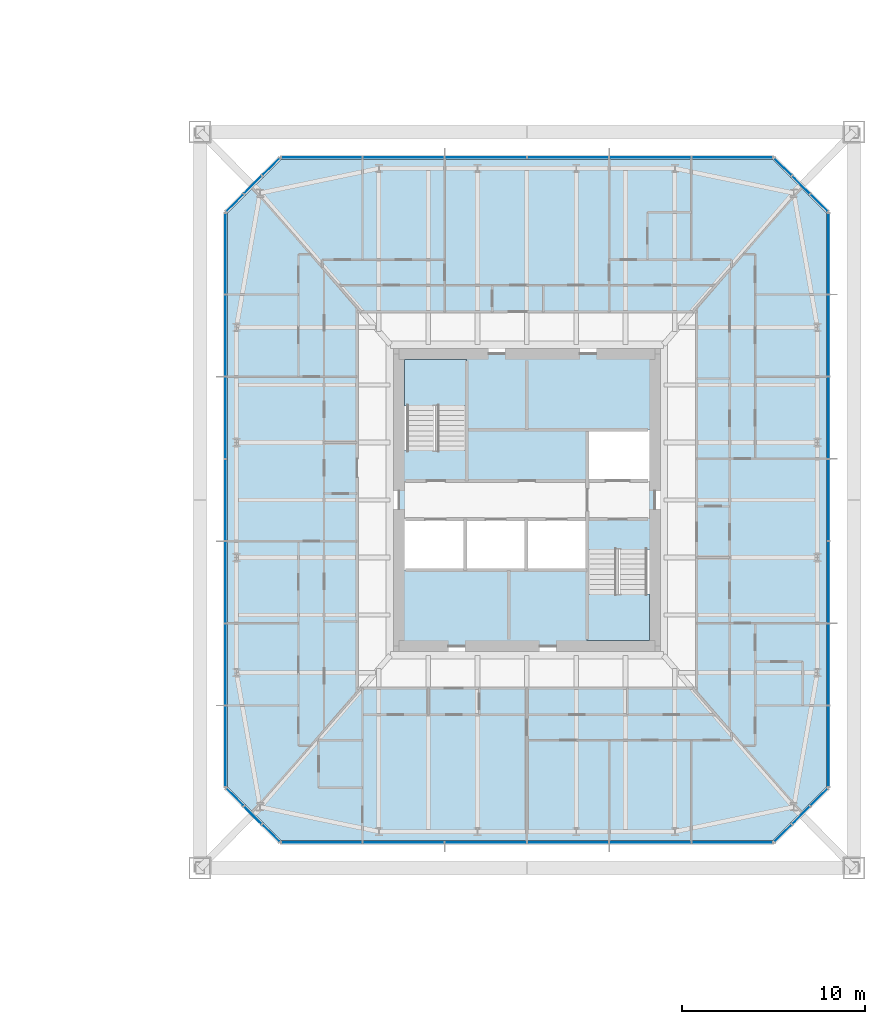
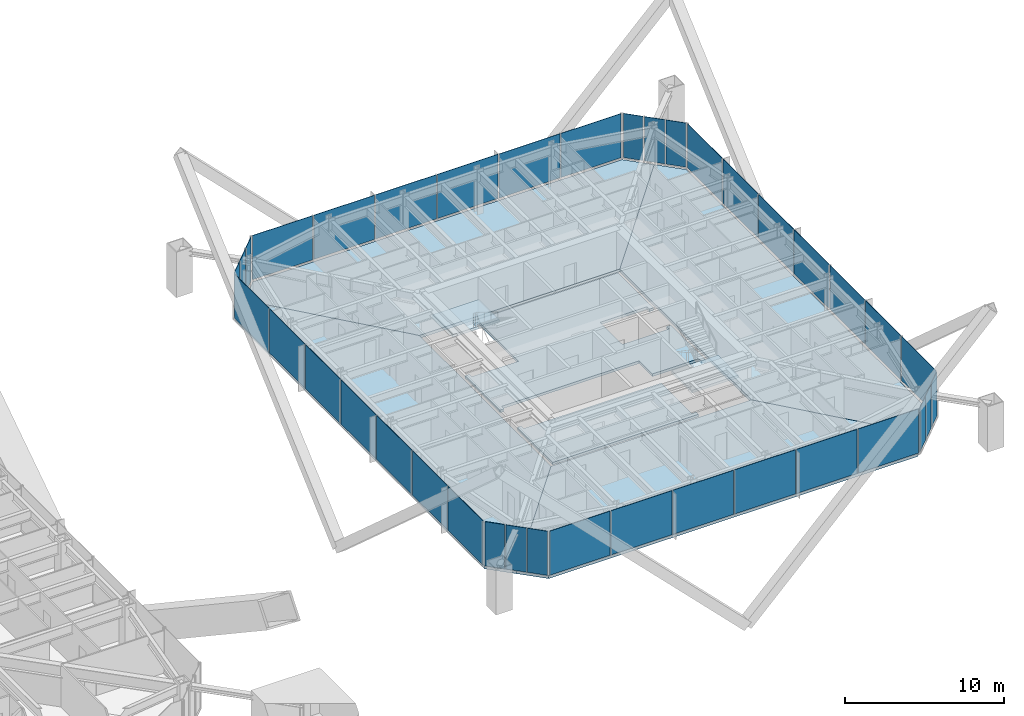
# One storey, part 14 of 27: 38 plates, 8 slabs, 10 elements without a shape of their own.
"""IFC4 building model written with IfcOpenShell, lengths in metres."""

import ifcopenshell
import ifcopenshell.guid

model = None  # the IFC model being written
_history = None  # IfcOwnerHistory: only IFC2X3 demands one
_inside = {}  # id of a spatial element -> (the spatial element, [elements in it])
_under = {}  # id of a project, library or spatial element -> (it, [spatial elements below it])
_declared = {}  # id of a project -> (the project, [libraries it declares])
_typed = {}  # id of a type object -> (the type object, [elements of that type])
_made_of = {}  # id of a material, layer set ... -> (it, [elements and type objects made of it])


def new_model(schema):
    """Start an empty IFC model of exactly this schema.

    Asked for "IFC4X3", IfcOpenShell would pick the latest addendum, in which some entities
    have other attributes; the version numbers below select the first issue.
    IFC2X3 requires an IfcOwnerHistory on every rooted entity: one is made here for all.
    """
    global model, _history
    if schema == "IFC4X3":
        model = ifcopenshell.file(schema_version=(4, 3, 0, 0))
    else:
        model = ifcopenshell.file(schema=schema)
    _inside.clear()
    _under.clear()
    _declared.clear()
    _typed.clear()
    _made_of.clear()
    _history = None
    if model.schema == "IFC2X3":
        org = make("IfcOrganization", Name="unknown")
        user = make(
            "IfcPersonAndOrganization",
            ThePerson=make("IfcPerson", FamilyName="unknown"),
            TheOrganization=org,
        )
        app = make(
            "IfcApplication",
            ApplicationDeveloper=org,
            Version="unknown",
            ApplicationFullName="unknown",
            ApplicationIdentifier="unknown",
        )
        _history = make(
            "IfcOwnerHistory",
            OwningUser=user,
            OwningApplication=app,
            ChangeAction="ADDED",
            CreationDate=0,
        )
    return model


def make(cls, **values):
    """One entity of the class cls with the attributes given. An attribute that is None is left unset."""
    return model.create_entity(
        cls, **{name: value for name, value in values.items() if value is not None}
    )


def rooted(cls, **values):
    """An entity with a GlobalId (a new one), such as an element, a storey or a relation."""
    return make(cls, GlobalId=ifcopenshell.guid.new(), OwnerHistory=_history, **values)


def si_unit(unit_type, name, prefix=None):
    """IfcSIUnit, for example si_unit("LENGTHUNIT", "METRE", prefix="MILLI")."""
    return make("IfcSIUnit", UnitType=unit_type, Prefix=prefix, Name=name)


def assignment(units):
    """IfcUnitAssignment: the units of a project."""
    return None if units is None else make("IfcUnitAssignment", Units=units)


def point(xyz):
    """IfcCartesianPoint."""
    return None if xyz is None else make("IfcCartesianPoint", Coordinates=xyz)


def direction(xyz):
    """IfcDirection."""
    return None if xyz is None else make("IfcDirection", DirectionRatios=xyz)


def frame(location, z_axis=None, x_axis=None):
    """IfcAxis2Placement3D, a coordinate frame: its origin and axes. An axis left out is left unset."""
    return make(
        "IfcAxis2Placement3D",
        Location=point(location),
        Axis=direction(z_axis),
        RefDirection=direction(x_axis),
    )


def frame_2d(location, x_axis=None):
    """IfcAxis2Placement2D, a coordinate frame in the plane: its origin and x axis."""
    return make(
        "IfcAxis2Placement2D", Location=point(location), RefDirection=direction(x_axis)
    )


def origin():
    """The frame at (0, 0, 0) with its axes left unset."""
    return frame((0.0, 0.0, 0.0))


def origin_2d():
    """The frame at (0, 0) in the plane with its x axis left unset."""
    return frame_2d((0.0, 0.0))


def place(relative_to, where):
    """IfcLocalPlacement: puts the frame where relative to a parent placement (None: the world)."""
    return make(
        "IfcLocalPlacement", PlacementRelTo=relative_to, RelativePlacement=where
    )


def context(
    kind, dimensions, precision=None, world=None, true_north=None, identifier=None
):
    """IfcGeometricRepresentationContext, for example the 3D "Model" context."""
    return make(
        "IfcGeometricRepresentationContext",
        ContextIdentifier=identifier,
        ContextType=kind,
        CoordinateSpaceDimension=dimensions,
        Precision=precision,
        WorldCoordinateSystem=world,
        TrueNorth=true_north,
    )


def subcontext(parent, identifier, kind, view, scale=None):
    """IfcGeometricRepresentationSubContext, for example "Body" below "Model"."""
    return make(
        "IfcGeometricRepresentationSubContext",
        ContextIdentifier=identifier,
        ContextType=kind,
        ParentContext=parent,
        TargetScale=scale,
        TargetView=view,
    )


def project(units=None, contexts=None):
    """IfcProject with its units and contexts."""
    return rooted(
        "IfcProject",
        Name="project",
        RepresentationContexts=contexts,
        UnitsInContext=assignment(units),
    )


def spatial(cls, under=None, at=None, **own):
    """A site, building, storey or space (cls), placed at a placement, below another one or the project."""
    s = rooted(cls, ObjectPlacement=at, **own)
    if under is not None:
        _under.setdefault(under.id(), (under, []))[1].append(s)
    return s


def polyline(points):
    """IfcPolyline through the points."""
    return make("IfcPolyline", Points=[point(p) for p in points])


def profile(cls, at=None, kind="AREA", **sizes):
    """A parametric profile (cls). Its sizes go by their IFC names, for example OverallWidth=200.0."""
    return make(cls, ProfileType=kind, Position=at, **sizes)


def rectangle(**sizes):
    """IfcRectangleProfileDef."""
    return profile("IfcRectangleProfileDef", **sizes)


def outline(outer, holes=None, kind="AREA"):
    """IfcArbitraryClosedProfileDef: a profile drawn as a closed curve; with holes, ...WithVoids."""
    if holes is None:
        return make("IfcArbitraryClosedProfileDef", ProfileType=kind, OuterCurve=outer)
    return make(
        "IfcArbitraryProfileDefWithVoids",
        ProfileType=kind,
        OuterCurve=outer,
        InnerCurves=holes,
    )


def extrude(swept, where, along, depth):
    """IfcExtrudedAreaSolid: the profile swept, set in the frame where, extruded along a direction by depth."""
    return make(
        "IfcExtrudedAreaSolid",
        SweptArea=swept,
        Position=where,
        ExtrudedDirection=direction(along),
        Depth=depth,
    )


def shape(context_of_items, identifier, shape_type, items):
    """IfcShapeRepresentation: the items that make up one representation, for example the "Body"."""
    return make(
        "IfcShapeRepresentation",
        ContextOfItems=context_of_items,
        RepresentationIdentifier=identifier,
        RepresentationType=shape_type,
        Items=items,
    )


def material(Name=None, Category=None):
    """IfcMaterial."""
    return make("IfcMaterial", Name=Name, Category=Category)


def layer(
    of_material, thickness, ventilated=None, Name=None, Category=None, Priority=None
):
    """IfcMaterialLayer: one layer of a wall or slab, of a material (None: an air gap)."""
    return make(
        "IfcMaterialLayer",
        Material=of_material,
        LayerThickness=thickness,
        IsVentilated=ventilated,
        Name=Name,
        Category=Category,
        Priority=Priority,
    )


def layer_set(layers, Name=None):
    """IfcMaterialLayerSet."""
    return make("IfcMaterialLayerSet", MaterialLayers=layers, LayerSetName=Name)


def constituent(of_material, Name=None, Category=None, fraction=None):
    """IfcMaterialConstituent: one of the materials an element consists of."""
    return make(
        "IfcMaterialConstituent",
        Name=Name,
        Material=of_material,
        Fraction=fraction,
        Category=Category,
    )


def constituent_set(constituents=None, Name=None):
    """IfcMaterialConstituentSet."""
    return make(
        "IfcMaterialConstituentSet", Name=Name, MaterialConstituents=constituents
    )


def made_of(thing, what):
    """Note that an element or type object is made of a material, layer set ...; save() writes the relation."""
    if what is not None:
        _made_of.setdefault(what.id(), (what, []))[1].append(thing)
    return thing


def type_object(cls, material=None, **own):
    """A type object (cls), such as IfcWallType, which elements share."""
    return made_of(rooted(cls, **own), material)


def element(
    cls,
    number,
    at=None,
    inside=None,
    cuts=None,
    type_object=None,
    material=None,
    context=None,
    identifier="Body",
    shape_type=None,
    held_by="IfcProductDefinitionShape",
    body=None,
    shapes=None,
    **own,
):
    """One element of the class cls, such as IfcWall. Its Tag is "e" and its number.

    at: its placement. inside: the storey or other place that contains it. cuts: it is an
    opening in that element (IfcRelVoidsElement). A single representation is given by context,
    identifier, shape_type and body (its items); several are given by shapes. held_by: the class
    of the entity that holds the representations. save() writes the other relations.
    """
    e = rooted(cls, Tag="e%d" % number, ObjectPlacement=at, **own)
    if body is not None:
        shapes = [shape(context, identifier, shape_type, body)]
    if shapes is not None:
        e.Representation = make(held_by, Representations=shapes)
    if inside is not None:
        _inside.setdefault(inside.id(), (inside, []))[1].append(e)
    if cuts is not None:
        rooted(
            "IfcRelVoidsElement", RelatingBuildingElement=cuts, RelatedOpeningElement=e
        )
    if type_object is not None:
        _typed.setdefault(type_object.id(), (type_object, []))[1].append(e)
    return made_of(e, material)


def aggregate(whole, parts):
    """IfcRelAggregates: a whole, such as a stair, and the parts it consists of."""
    return rooted("IfcRelAggregates", RelatingObject=whole, RelatedObjects=parts)


def save(model, path):
    """Write the relations noted so far, then the file.

    IfcRelAggregates (storeys below a building ...), IfcRelContainedInSpatialStructure (elements
    in a storey), IfcRelDefinesByType, IfcRelAssociatesMaterial and IfcRelDeclares: one each for
    every whole, place, type object, material and project.
    """
    for whole, parts in _under.values():
        aggregate(whole, parts)
    for where, things in _inside.values():
        rooted(
            "IfcRelContainedInSpatialStructure",
            RelatedElements=things,
            RelatingStructure=where,
        )
    for kind, things in _typed.values():
        rooted("IfcRelDefinesByType", RelatedObjects=things, RelatingType=kind)
    for what, things in _made_of.values():
        rooted("IfcRelAssociatesMaterial", RelatedObjects=things, RelatingMaterial=what)
    for by, libraries in _declared.values():
        rooted("IfcRelDeclares", RelatingContext=by, RelatedDefinitions=libraries)
    model.write(path)


model = new_model("IFC4")

# Units and contexts
model_context = context("Model", 3, precision=1e-05, world=origin(), true_north=direction((0.0, 1.0)))
body_context = subcontext(model_context, "Body", "Model", "MODEL_VIEW")
ifc_project = project(units=[si_unit("LENGTHUNIT", "METRE"), si_unit("AREAUNIT", "SQUARE_METRE"), si_unit("VOLUMEUNIT", "CUBIC_METRE"), si_unit("PLANEANGLEUNIT", "RADIAN"), si_unit("MASSUNIT", "GRAM", prefix="KILO")], contexts=[model_context])

# Site, building, storey
site_placement = place(None, origin())
site = spatial("IfcSite", under=ifc_project, at=site_placement, CompositionType="ELEMENT")
building_placement = place(site_placement, origin())
building = spatial("IfcBuilding", under=site, at=building_placement, Name="Iwan Alto Co-Living Towers", CompositionType="ELEMENT")
storey_placement = place(building_placement, frame((0.0, 0.0, 25.5)))
storey = spatial("IfcBuildingStorey", under=building, at=storey_placement, Name="L06", CompositionType="ELEMENT", Elevation=25.5)

# Slabs
ifc_material_1 = material(Name="Concrete f'c 30 MPa", Category="concrete")
ifc_layer_1 = layer(ifc_material_1, 0.199951171875)
ifc_layer_set_1 = layer_set([ifc_layer_1], Name="CORE FLOOR SLAB 200")
slab_type_1 = type_object("IfcSlabType", Name="CORE FLOOR SLAB 200", PredefinedType="FLOOR", material=ifc_layer_set_1)
slab_1_placement = place(storey_placement, frame((0.0, 0.0, -0.199951171875)))
element("IfcSlab", 1, at=slab_1_placement, inside=storey, type_object=slab_type_1, Name="T2 core floor L06", PredefinedType="FLOOR", context=body_context, shape_type="SweptSolid", body=[
    extrude(outline(polyline([(70.0, -3.030029296875), (69.699951171875, -3.030029296875), (69.699951171875, -2.719970703125), (66.300048828125, -2.719970703125), (66.300048828125, -1.050048828125), (62.967041015625, -1.050048828125), (59.633056640625, -1.050048828125), (56.300048828125, -1.050048828125), (56.300048828125, -1.360107421875), (56.0, -1.360107421875), (56.0, 3.030029296875), (56.300048828125, 3.030029296875), (56.300048828125, 2.719970703125), (59.699951171875, 2.719970703125), (59.699951171875, 7.699951171875), (59.389892578125, 7.699951171875), (59.389892578125, 8.0), (70.0, 8.0), (70.0, 3.5400390625), (69.699951171875, 3.5400390625), (69.699951171875, 3.85009765625), (66.300048828125, 3.85009765625), (66.300048828125, 1.050048828125), (69.699951171875, 1.050048828125), (69.699951171875, 1.360107421875), (70.0, 1.360107421875), (70.0, -3.030029296875)])), origin(), (0.0, 0.0, 1.0), 0.199951171875),
])
slab_2_placement = place(storey_placement, frame((0.0, 0.0, -0.199951171875)))
element("IfcSlab", 2, at=slab_2_placement, inside=storey, type_object=slab_type_1, Name="T2 core floor L06", PredefinedType="FLOOR", context=body_context, shape_type="SweptSolid", body=[
    extrude(outline(polyline([(62.967041015625, -3.85009765625), (66.300048828125, -3.85009765625), (66.300048828125, -7.699951171875), (66.610107421875, -7.699951171875), (66.610107421875, -8.0), (56.0, -8.0), (56.0, -3.5400390625), (56.300048828125, -3.5400390625), (56.300048828125, -3.85009765625), (59.633056640625, -3.85009765625), (62.967041015625, -3.85009765625)])), origin(), (0.0, 0.0, 1.0), 0.199951171875),
])

# Curtain wall, plates
ifc_material_2 = material(Name="Bronze aluminium unitised frame", Category="aluminium")
curtain_wall_type_1 = type_object("IfcCurtainWallType", Name="CURTAIN WALL CW-C", PredefinedType="NOTDEFINED", material=ifc_material_2)
curtain_wall_1_placement = place(storey_placement, origin())
curtain_wall_1 = element("IfcCurtainWall", 3, at=curtain_wall_1_placement, inside=storey, type_object=curtain_wall_type_1, Name="T2 curtain wall S L06", PredefinedType="NOTDEFINED")
ifc_material_3 = material(Name="Bronze-tinted insulating glass", Category="glass")
ifc_layer_2 = layer(ifc_material_3, 0.031982421875)
ifc_layer_set_2 = layer_set([ifc_layer_2], Name="CW-C PANEL TINTED IGU 32")
plate_type_1 = type_object("IfcPlateType", Name="CW-C PANEL TINTED IGU 32", PredefinedType="CURTAIN_PANEL", material=ifc_layer_set_2)
plate_1_placement = place(storey_placement, frame((60.75, -18.75, 0.10009765625), z_axis=(0.0, 0.0, 1.0), x_axis=(1.0, 0.0, 0.0)))
plate_1 = element("IfcPlate", 4, at=plate_1_placement, type_object=plate_type_1, Name="CW-C panel 3.1", PredefinedType="CURTAIN_PANEL", context=body_context, shape_type="SweptSolid", body=[
    extrude(rectangle(XDim=4.419921875, YDim=0.031982421875, at=origin_2d()), origin(), (0.0, 0.0, 1.0), 3.39990234375),
])
plate_2_placement = place(storey_placement, frame((65.25, -18.75, 0.10009765625), z_axis=(0.0, 0.0, 1.0), x_axis=(1.0, 0.0, 0.0)))
plate_2 = element("IfcPlate", 5, at=plate_2_placement, type_object=plate_type_1, Name="CW-C panel 4.1", PredefinedType="CURTAIN_PANEL", context=body_context, shape_type="SweptSolid", body=[
    extrude(rectangle(XDim=4.419921875, YDim=0.031982421875, at=origin_2d()), origin(), (0.0, 0.0, 1.0), 3.39990234375),
])

curtain_wall_2_placement = place(storey_placement, origin())
curtain_wall_2 = element("IfcCurtainWall", 6, at=curtain_wall_2_placement, inside=storey, type_object=curtain_wall_type_1, Name="T2 curtain wall E L06", PredefinedType="NOTDEFINED")
plate_3_placement = place(storey_placement, frame((79.5, -4.5, 0.10009765625), z_axis=(0.0, 0.0, 1.0), x_axis=(0.0, 1.0, 0.0)))
plate_3 = element("IfcPlate", 7, at=plate_3_placement, type_object=plate_type_1, Name="CW-C panel 3.1", PredefinedType="CURTAIN_PANEL", context=body_context, shape_type="SweptSolid", body=[
    extrude(rectangle(XDim=4.419921875, YDim=0.031982421875, at=origin_2d()), origin(), (0.0, 0.0, 1.0), 3.39990234375),
])
plate_4_placement = place(storey_placement, frame((79.5, 0.0, 0.10009765625), z_axis=(0.0, 0.0, 1.0), x_axis=(0.0, 1.0, 0.0)))
plate_4 = element("IfcPlate", 8, at=plate_4_placement, type_object=plate_type_1, Name="CW-C panel 4.1", PredefinedType="CURTAIN_PANEL", context=body_context, shape_type="SweptSolid", body=[
    extrude(rectangle(XDim=4.419921875, YDim=0.031982421875, at=origin_2d()), origin(), (0.0, 0.0, 1.0), 3.39990234375),
])
plate_5_placement = place(storey_placement, frame((79.5, 4.5, 0.10009765625), z_axis=(0.0, 0.0, 1.0), x_axis=(0.0, 1.0, 0.0)))
plate_5 = element("IfcPlate", 9, at=plate_5_placement, type_object=plate_type_1, Name="CW-C panel 5.1", PredefinedType="CURTAIN_PANEL", context=body_context, shape_type="SweptSolid", body=[
    extrude(rectangle(XDim=4.419921875, YDim=0.031982421875, at=origin_2d()), origin(), (0.0, 0.0, 1.0), 3.39990234375),
])

curtain_wall_3_placement = place(storey_placement, origin())
curtain_wall_3 = element("IfcCurtainWall", 10, at=curtain_wall_3_placement, inside=storey, type_object=curtain_wall_type_1, Name="T2 curtain wall N L06", PredefinedType="NOTDEFINED")
plate_6_placement = place(storey_placement, frame((65.25, 18.75, 0.10009765625), z_axis=(0.0, 0.0, 1.0), x_axis=(-1.0, 0.0, 0.0)))
plate_6 = element("IfcPlate", 11, at=plate_6_placement, type_object=plate_type_1, Name="CW-C panel 3.1", PredefinedType="CURTAIN_PANEL", context=body_context, shape_type="SweptSolid", body=[
    extrude(rectangle(XDim=4.419921875, YDim=0.031982421875, at=origin_2d()), origin(), (0.0, 0.0, 1.0), 3.39990234375),
])
plate_7_placement = place(storey_placement, frame((60.75, 18.75, 0.10009765625), z_axis=(0.0, 0.0, 1.0), x_axis=(-1.0, 0.0, 0.0)))
plate_7 = element("IfcPlate", 12, at=plate_7_placement, type_object=plate_type_1, Name="CW-C panel 4.1", PredefinedType="CURTAIN_PANEL", context=body_context, shape_type="SweptSolid", body=[
    extrude(rectangle(XDim=4.419921875, YDim=0.031982421875, at=origin_2d()), origin(), (0.0, 0.0, 1.0), 3.39990234375),
])

curtain_wall_4_placement = place(storey_placement, origin())
curtain_wall_4 = element("IfcCurtainWall", 13, at=curtain_wall_4_placement, inside=storey, type_object=curtain_wall_type_1, Name="T2 curtain wall W L06", PredefinedType="NOTDEFINED")
plate_8_placement = place(storey_placement, frame((46.5, 4.5, 0.10009765625), z_axis=(0.0, 0.0, 1.0), x_axis=(0.0, -1.0, 0.0)))
plate_8 = element("IfcPlate", 14, at=plate_8_placement, type_object=plate_type_1, Name="CW-C panel 3.1", PredefinedType="CURTAIN_PANEL", context=body_context, shape_type="SweptSolid", body=[
    extrude(rectangle(XDim=4.419921875, YDim=0.031982421875, at=origin_2d()), origin(), (0.0, 0.0, 1.0), 3.39990234375),
])
plate_9_placement = place(storey_placement, frame((46.5, 0.0, 0.10009765625), z_axis=(0.0, 0.0, 1.0), x_axis=(0.0, -1.0, 0.0)))
plate_9 = element("IfcPlate", 15, at=plate_9_placement, type_object=plate_type_1, Name="CW-C panel 4.1", PredefinedType="CURTAIN_PANEL", context=body_context, shape_type="SweptSolid", body=[
    extrude(rectangle(XDim=4.419921875, YDim=0.031982421875, at=origin_2d()), origin(), (0.0, 0.0, 1.0), 3.39990234375),
])
plate_10_placement = place(storey_placement, frame((46.5, -4.5, 0.10009765625), z_axis=(0.0, 0.0, 1.0), x_axis=(0.0, -1.0, 0.0)))
plate_10 = element("IfcPlate", 16, at=plate_10_placement, type_object=plate_type_1, Name="CW-C panel 5.1", PredefinedType="CURTAIN_PANEL", context=body_context, shape_type="SweptSolid", body=[
    extrude(rectangle(XDim=4.419921875, YDim=0.031982421875, at=origin_2d()), origin(), (0.0, 0.0, 1.0), 3.39990234375),
])

# Plate
ifc_material_4 = material(Name="Insulated bronze aluminium spandrel panel", Category="aluminium")
ifc_layer_3 = layer(ifc_material_4, 0.031982421875)
ifc_layer_set_3 = layer_set([ifc_layer_3], Name="CW-C SPANDREL PANEL 32")
plate_type_2 = type_object("IfcPlateType", Name="CW-C SPANDREL PANEL 32", PredefinedType="CURTAIN_PANEL", material=ifc_layer_set_3)
plate_11_placement = place(storey_placement, frame((51.77001953125, -18.75, 0.10009765625), z_axis=(0.0, 0.0, 1.0), x_axis=(1.0, 0.0, 0.0)))
plate_11 = element("IfcPlate", 17, at=plate_11_placement, type_object=plate_type_2, Name="CW-C spandrel panel 1.1 (braced bay)", PredefinedType="CURTAIN_PANEL", context=body_context, shape_type="SweptSolid", body=[
    extrude(rectangle(XDim=4.3798828125, YDim=0.031982421875, at=origin_2d()), origin(), (0.0, 0.0, 1.0), 3.39990234375),
])

plate_12_placement = place(storey_placement, frame((56.25, -18.75, 0.10009765625), z_axis=(0.0, 0.0, 1.0), x_axis=(1.0, 0.0, 0.0)))
plate_12 = element("IfcPlate", 18, at=plate_12_placement, type_object=plate_type_2, Name="CW-C spandrel panel 2.1 (braced bay)", PredefinedType="CURTAIN_PANEL", context=body_context, shape_type="SweptSolid", body=[
    extrude(rectangle(XDim=4.419921875, YDim=0.031982421875, at=origin_2d()), origin(), (0.0, 0.0, 1.0), 3.39990234375),
])

plate_13_placement = place(storey_placement, frame((69.75, -18.75, 0.10009765625), z_axis=(0.0, 0.0, 1.0), x_axis=(1.0, 0.0, 0.0)))
plate_13 = element("IfcPlate", 19, at=plate_13_placement, type_object=plate_type_2, Name="CW-C spandrel panel 5.1 (braced bay)", PredefinedType="CURTAIN_PANEL", context=body_context, shape_type="SweptSolid", body=[
    extrude(rectangle(XDim=4.419921875, YDim=0.031982421875, at=origin_2d()), origin(), (0.0, 0.0, 1.0), 3.39990234375),
])

plate_14_placement = place(storey_placement, frame((74.22998046875, -18.75, 0.10009765625), z_axis=(0.0, 0.0, 1.0), x_axis=(1.0, 0.0, 0.0)))
plate_14 = element("IfcPlate", 20, at=plate_14_placement, type_object=plate_type_2, Name="CW-C spandrel panel 6.1 (braced bay)", PredefinedType="CURTAIN_PANEL", context=body_context, shape_type="SweptSolid", body=[
    extrude(rectangle(XDim=4.3798828125, YDim=0.031982421875, at=origin_2d()), origin(), (0.0, 0.0, 1.0), 3.39990234375),
])

aggregate(curtain_wall_1, [plate_1, plate_2, plate_11, plate_12, plate_13, plate_14])

plate_15_placement = place(storey_placement, frame((79.5, -13.47998046875, 0.10009765625), z_axis=(0.0, 0.0, 1.0), x_axis=(0.0, 1.0, 0.0)))
plate_15 = element("IfcPlate", 21, at=plate_15_placement, type_object=plate_type_2, Name="CW-C spandrel panel 1.1 (braced bay)", PredefinedType="CURTAIN_PANEL", context=body_context, shape_type="SweptSolid", body=[
    extrude(rectangle(XDim=4.3798828125, YDim=0.031982421875, at=origin_2d()), origin(), (0.0, 0.0, 1.0), 3.39990234375),
])

plate_16_placement = place(storey_placement, frame((79.5, -9.0, 0.10009765625), z_axis=(0.0, 0.0, 1.0), x_axis=(0.0, 1.0, 0.0)))
plate_16 = element("IfcPlate", 22, at=plate_16_placement, type_object=plate_type_2, Name="CW-C spandrel panel 2.1 (braced bay)", PredefinedType="CURTAIN_PANEL", context=body_context, shape_type="SweptSolid", body=[
    extrude(rectangle(XDim=4.419921875, YDim=0.031982421875, at=origin_2d()), origin(), (0.0, 0.0, 1.0), 3.39990234375),
])

plate_17_placement = place(storey_placement, frame((79.5, 9.0, 0.10009765625), z_axis=(0.0, 0.0, 1.0), x_axis=(0.0, 1.0, 0.0)))
plate_17 = element("IfcPlate", 23, at=plate_17_placement, type_object=plate_type_2, Name="CW-C spandrel panel 6.1 (braced bay)", PredefinedType="CURTAIN_PANEL", context=body_context, shape_type="SweptSolid", body=[
    extrude(rectangle(XDim=4.419921875, YDim=0.031982421875, at=origin_2d()), origin(), (0.0, 0.0, 1.0), 3.39990234375),
])

plate_18_placement = place(storey_placement, frame((79.5, 13.47998046875, 0.10009765625), z_axis=(0.0, 0.0, 1.0), x_axis=(0.0, 1.0, 0.0)))
plate_18 = element("IfcPlate", 24, at=plate_18_placement, type_object=plate_type_2, Name="CW-C spandrel panel 7.1 (braced bay)", PredefinedType="CURTAIN_PANEL", context=body_context, shape_type="SweptSolid", body=[
    extrude(rectangle(XDim=4.3798828125, YDim=0.031982421875, at=origin_2d()), origin(), (0.0, 0.0, 1.0), 3.39990234375),
])

aggregate(curtain_wall_2, [plate_3, plate_4, plate_5, plate_15, plate_16, plate_17, plate_18])

plate_19_placement = place(storey_placement, frame((74.22998046875, 18.75, 0.10009765625), z_axis=(0.0, 0.0, 1.0), x_axis=(-1.0, 0.0, 0.0)))
plate_19 = element("IfcPlate", 25, at=plate_19_placement, type_object=plate_type_2, Name="CW-C spandrel panel 1.1 (braced bay)", PredefinedType="CURTAIN_PANEL", context=body_context, shape_type="SweptSolid", body=[
    extrude(rectangle(XDim=4.3798828125, YDim=0.031982421875, at=origin_2d()), origin(), (0.0, 0.0, 1.0), 3.39990234375),
])

plate_20_placement = place(storey_placement, frame((69.75, 18.75, 0.10009765625), z_axis=(0.0, 0.0, 1.0), x_axis=(-1.0, 0.0, 0.0)))
plate_20 = element("IfcPlate", 26, at=plate_20_placement, type_object=plate_type_2, Name="CW-C spandrel panel 2.1 (braced bay)", PredefinedType="CURTAIN_PANEL", context=body_context, shape_type="SweptSolid", body=[
    extrude(rectangle(XDim=4.419921875, YDim=0.031982421875, at=origin_2d()), origin(), (0.0, 0.0, 1.0), 3.39990234375),
])

plate_21_placement = place(storey_placement, frame((56.25, 18.75, 0.10009765625), z_axis=(0.0, 0.0, 1.0), x_axis=(-1.0, 0.0, 0.0)))
plate_21 = element("IfcPlate", 27, at=plate_21_placement, type_object=plate_type_2, Name="CW-C spandrel panel 5.1 (braced bay)", PredefinedType="CURTAIN_PANEL", context=body_context, shape_type="SweptSolid", body=[
    extrude(rectangle(XDim=4.419921875, YDim=0.031982421875, at=origin_2d()), origin(), (0.0, 0.0, 1.0), 3.39990234375),
])

plate_22_placement = place(storey_placement, frame((51.77001953125, 18.75, 0.10009765625), z_axis=(0.0, 0.0, 1.0), x_axis=(-1.0, 0.0, 0.0)))
plate_22 = element("IfcPlate", 28, at=plate_22_placement, type_object=plate_type_2, Name="CW-C spandrel panel 6.1 (braced bay)", PredefinedType="CURTAIN_PANEL", context=body_context, shape_type="SweptSolid", body=[
    extrude(rectangle(XDim=4.3798828125, YDim=0.031982421875, at=origin_2d()), origin(), (0.0, 0.0, 1.0), 3.39990234375),
])

aggregate(curtain_wall_3, [plate_6, plate_7, plate_19, plate_20, plate_21, plate_22])

plate_23_placement = place(storey_placement, frame((46.5, 13.47998046875, 0.10009765625), z_axis=(0.0, 0.0, 1.0), x_axis=(0.0, -1.0, 0.0)))
plate_23 = element("IfcPlate", 29, at=plate_23_placement, type_object=plate_type_2, Name="CW-C spandrel panel 1.1 (braced bay)", PredefinedType="CURTAIN_PANEL", context=body_context, shape_type="SweptSolid", body=[
    extrude(rectangle(XDim=4.3798828125, YDim=0.031982421875, at=origin_2d()), origin(), (0.0, 0.0, 1.0), 3.39990234375),
])

plate_24_placement = place(storey_placement, frame((46.5, 9.0, 0.10009765625), z_axis=(0.0, 0.0, 1.0), x_axis=(0.0, -1.0, 0.0)))
plate_24 = element("IfcPlate", 30, at=plate_24_placement, type_object=plate_type_2, Name="CW-C spandrel panel 2.1 (braced bay)", PredefinedType="CURTAIN_PANEL", context=body_context, shape_type="SweptSolid", body=[
    extrude(rectangle(XDim=4.419921875, YDim=0.031982421875, at=origin_2d()), origin(), (0.0, 0.0, 1.0), 3.39990234375),
])

plate_25_placement = place(storey_placement, frame((46.5, -9.0, 0.10009765625), z_axis=(0.0, 0.0, 1.0), x_axis=(0.0, -1.0, 0.0)))
plate_25 = element("IfcPlate", 31, at=plate_25_placement, type_object=plate_type_2, Name="CW-C spandrel panel 6.1 (braced bay)", PredefinedType="CURTAIN_PANEL", context=body_context, shape_type="SweptSolid", body=[
    extrude(rectangle(XDim=4.419921875, YDim=0.031982421875, at=origin_2d()), origin(), (0.0, 0.0, 1.0), 3.39990234375),
])

plate_26_placement = place(storey_placement, frame((46.5, -13.47998046875, 0.10009765625), z_axis=(0.0, 0.0, 1.0), x_axis=(0.0, -1.0, 0.0)))
plate_26 = element("IfcPlate", 32, at=plate_26_placement, type_object=plate_type_2, Name="CW-C spandrel panel 7.1 (braced bay)", PredefinedType="CURTAIN_PANEL", context=body_context, shape_type="SweptSolid", body=[
    extrude(rectangle(XDim=4.3798828125, YDim=0.031982421875, at=origin_2d()), origin(), (0.0, 0.0, 1.0), 3.39990234375),
])

aggregate(curtain_wall_4, [plate_8, plate_9, plate_10, plate_23, plate_24, plate_25, plate_26])

# Curtain wall, plates
ifc_material_5 = material(Name="Bronze aluminium unitised frame", Category="aluminium")
curtain_wall_type_2 = type_object("IfcCurtainWallType", Name="CURTAIN WALL CW-D", PredefinedType="NOTDEFINED", material=ifc_material_5)
curtain_wall_5_placement = place(storey_placement, origin())
curtain_wall_5 = element("IfcCurtainWall", 33, at=curtain_wall_5_placement, inside=storey, type_object=curtain_wall_type_2, Name="T2 chamfer curtain wall SE L06", PredefinedType="NOTDEFINED")
ifc_material_6 = material(Name="Bronze-tinted insulating glass", Category="glass")
ifc_layer_4 = layer(ifc_material_6, 0.031982421875)
ifc_layer_set_4 = layer_set([ifc_layer_4], Name="CW-D PANEL TINTED IGU 32")
plate_type_3 = type_object("IfcPlateType", Name="CW-D PANEL TINTED IGU 32", PredefinedType="CURTAIN_PANEL", material=ifc_layer_set_4)
plate_27_placement = place(storey_placement, frame((77.01416015625, -18.23583984375, 0.10009765625), z_axis=(0.0, 0.0, 1.0), x_axis=(0.707106781187, 0.707106781187, 0.0)))
plate_27 = element("IfcPlate", 34, at=plate_27_placement, type_object=plate_type_3, Name="CW-D panel 1.1", PredefinedType="CURTAIN_PANEL", context=body_context, shape_type="SweptSolid", body=[
    extrude(rectangle(XDim=1.294189453125, YDim=0.031982421875, at=origin_2d()), origin(), (0.0, 0.0, 1.0), 3.39990234375),
])
plate_28_placement = place(storey_placement, frame((78.0, -17.25, 0.10009765625), z_axis=(0.0, 0.0, 1.0), x_axis=(0.707106781187, 0.707106781187, 0.0)))
plate_28 = element("IfcPlate", 35, at=plate_28_placement, type_object=plate_type_3, Name="CW-D panel 2.1", PredefinedType="CURTAIN_PANEL", context=body_context, shape_type="SweptSolid", body=[
    extrude(rectangle(XDim=1.334228515625, YDim=0.031982421875, at=origin_2d()), origin(), (0.0, 0.0, 1.0), 3.39990234375),
])
plate_29_placement = place(storey_placement, frame((78.98583984375, -16.26416015625, 0.10009765625), z_axis=(0.0, 0.0, 1.0), x_axis=(0.707106781187, 0.707106781187, 0.0)))
plate_29 = element("IfcPlate", 36, at=plate_29_placement, type_object=plate_type_3, Name="CW-D panel 3.1", PredefinedType="CURTAIN_PANEL", context=body_context, shape_type="SweptSolid", body=[
    extrude(rectangle(XDim=1.294189453125, YDim=0.031982421875, at=origin_2d()), origin(), (0.0, 0.0, 1.0), 3.39990234375),
])
aggregate(curtain_wall_5, [plate_27, plate_28, plate_29])

curtain_wall_6_placement = place(storey_placement, origin())
curtain_wall_6 = element("IfcCurtainWall", 37, at=curtain_wall_6_placement, inside=storey, type_object=curtain_wall_type_2, Name="T2 chamfer curtain wall NE L06", PredefinedType="NOTDEFINED")
plate_30_placement = place(storey_placement, frame((78.98583984375, 16.26416015625, 0.10009765625), z_axis=(0.0, 0.0, 1.0), x_axis=(-0.707106781187, 0.707106781187, 0.0)))
plate_30 = element("IfcPlate", 38, at=plate_30_placement, type_object=plate_type_3, Name="CW-D panel 1.1", PredefinedType="CURTAIN_PANEL", context=body_context, shape_type="SweptSolid", body=[
    extrude(rectangle(XDim=1.294189453125, YDim=0.031982421875, at=origin_2d()), origin(), (0.0, 0.0, 1.0), 3.39990234375),
])
plate_31_placement = place(storey_placement, frame((78.0, 17.25, 0.10009765625), z_axis=(0.0, 0.0, 1.0), x_axis=(-0.707106781187, 0.707106781187, 0.0)))
plate_31 = element("IfcPlate", 39, at=plate_31_placement, type_object=plate_type_3, Name="CW-D panel 2.1", PredefinedType="CURTAIN_PANEL", context=body_context, shape_type="SweptSolid", body=[
    extrude(rectangle(XDim=1.334228515625, YDim=0.031982421875, at=origin_2d()), origin(), (0.0, 0.0, 1.0), 3.39990234375),
])
plate_32_placement = place(storey_placement, frame((77.01416015625, 18.23583984375, 0.10009765625), z_axis=(0.0, 0.0, 1.0), x_axis=(-0.707106781187, 0.707106781187, 0.0)))
plate_32 = element("IfcPlate", 40, at=plate_32_placement, type_object=plate_type_3, Name="CW-D panel 3.1", PredefinedType="CURTAIN_PANEL", context=body_context, shape_type="SweptSolid", body=[
    extrude(rectangle(XDim=1.294189453125, YDim=0.031982421875, at=origin_2d()), origin(), (0.0, 0.0, 1.0), 3.39990234375),
])
aggregate(curtain_wall_6, [plate_30, plate_31, plate_32])

curtain_wall_7_placement = place(storey_placement, origin())
curtain_wall_7 = element("IfcCurtainWall", 41, at=curtain_wall_7_placement, inside=storey, type_object=curtain_wall_type_2, Name="T2 chamfer curtain wall NW L06", PredefinedType="NOTDEFINED")
plate_33_placement = place(storey_placement, frame((48.98583984375, 18.23583984375, 0.10009765625), z_axis=(0.0, 0.0, 1.0), x_axis=(-0.707106781187, -0.707106781187, 0.0)))
plate_33 = element("IfcPlate", 42, at=plate_33_placement, type_object=plate_type_3, Name="CW-D panel 1.1", PredefinedType="CURTAIN_PANEL", context=body_context, shape_type="SweptSolid", body=[
    extrude(rectangle(XDim=1.294189453125, YDim=0.031982421875, at=origin_2d()), origin(), (0.0, 0.0, 1.0), 3.39990234375),
])
plate_34_placement = place(storey_placement, frame((48.0, 17.25, 0.10009765625), z_axis=(0.0, 0.0, 1.0), x_axis=(-0.707106781187, -0.707106781187, 0.0)))
plate_34 = element("IfcPlate", 43, at=plate_34_placement, type_object=plate_type_3, Name="CW-D panel 2.1", PredefinedType="CURTAIN_PANEL", context=body_context, shape_type="SweptSolid", body=[
    extrude(rectangle(XDim=1.334228515625, YDim=0.031982421875, at=origin_2d()), origin(), (0.0, 0.0, 1.0), 3.39990234375),
])
plate_35_placement = place(storey_placement, frame((47.01416015625, 16.26416015625, 0.10009765625), z_axis=(0.0, 0.0, 1.0), x_axis=(-0.707106781187, -0.707106781187, 0.0)))
plate_35 = element("IfcPlate", 44, at=plate_35_placement, type_object=plate_type_3, Name="CW-D panel 3.1", PredefinedType="CURTAIN_PANEL", context=body_context, shape_type="SweptSolid", body=[
    extrude(rectangle(XDim=1.294189453125, YDim=0.031982421875, at=origin_2d()), origin(), (0.0, 0.0, 1.0), 3.39990234375),
])
aggregate(curtain_wall_7, [plate_33, plate_34, plate_35])

curtain_wall_8_placement = place(storey_placement, origin())
curtain_wall_8 = element("IfcCurtainWall", 45, at=curtain_wall_8_placement, inside=storey, type_object=curtain_wall_type_2, Name="T2 chamfer curtain wall SW L06", PredefinedType="NOTDEFINED")
plate_36_placement = place(storey_placement, frame((47.01416015625, -16.26416015625, 0.10009765625), z_axis=(0.0, 0.0, 1.0), x_axis=(0.707106781187, -0.707106781187, 0.0)))
plate_36 = element("IfcPlate", 46, at=plate_36_placement, type_object=plate_type_3, Name="CW-D panel 1.1", PredefinedType="CURTAIN_PANEL", context=body_context, shape_type="SweptSolid", body=[
    extrude(rectangle(XDim=1.294189453125, YDim=0.031982421875, at=origin_2d()), origin(), (0.0, 0.0, 1.0), 3.39990234375),
])
plate_37_placement = place(storey_placement, frame((48.0, -17.25, 0.10009765625), z_axis=(0.0, 0.0, 1.0), x_axis=(0.707106781187, -0.707106781187, 0.0)))
plate_37 = element("IfcPlate", 47, at=plate_37_placement, type_object=plate_type_3, Name="CW-D panel 2.1", PredefinedType="CURTAIN_PANEL", context=body_context, shape_type="SweptSolid", body=[
    extrude(rectangle(XDim=1.334228515625, YDim=0.031982421875, at=origin_2d()), origin(), (0.0, 0.0, 1.0), 3.39990234375),
])
plate_38_placement = place(storey_placement, frame((48.98583984375, -18.23583984375, 0.10009765625), z_axis=(0.0, 0.0, 1.0), x_axis=(0.707106781187, -0.707106781187, 0.0)))
plate_38 = element("IfcPlate", 48, at=plate_38_placement, type_object=plate_type_3, Name="CW-D panel 3.1", PredefinedType="CURTAIN_PANEL", context=body_context, shape_type="SweptSolid", body=[
    extrude(rectangle(XDim=1.294189453125, YDim=0.031982421875, at=origin_2d()), origin(), (0.0, 0.0, 1.0), 3.39990234375),
])
aggregate(curtain_wall_8, [plate_36, plate_37, plate_38])

# Stair, slab
ifc_material_7 = material(Name="Steel ASTM A36", Category="steel")
ifc_constituent_1 = constituent(ifc_material_7, Name="Stringers", Category="LoadBearing")
ifc_material_8 = material(Name="Concrete f'c 30 MPa", Category="concrete")
ifc_constituent_2 = constituent(ifc_material_8, Name="Tread fill", Category="Finish")
ifc_constituent_set = constituent_set(constituents=[ifc_constituent_1, ifc_constituent_2], Name="STAIR 3500 TWO-FLIGHT T2 CORE")
stair_type = type_object("IfcStairType", Name="STAIR 3500 TWO-FLIGHT T2 CORE", PredefinedType="HALF_TURN_STAIR", material=ifc_constituent_set)
stair_1_placement = place(storey_placement, origin())
stair_1 = element("IfcStair", 49, at=stair_1_placement, inside=storey, type_object=stair_type, Name="Stair T2-S1 L06 to L07", PredefinedType="HALF_TURN_STAIR")
ifc_material_9 = material(Name="Concrete f'c 30 MPa", Category="concrete")
ifc_layer_5 = layer(ifc_material_9, 0.199951171875)
ifc_layer_set_5 = layer_set([ifc_layer_5], Name="STAIR LANDING 200")
slab_type_2 = type_object("IfcSlabType", Name="STAIR LANDING 200", PredefinedType="LANDING", material=ifc_layer_set_5)
slab_3_placement = place(storey_placement, frame((0.0, 0.0, 1.550048828125)))
slab_3 = element("IfcSlab", 50, at=slab_3_placement, type_object=slab_type_2, Name="T2-S1 landing 1", PredefinedType="LANDING", context=body_context, shape_type="SweptSolid", body=[
    extrude(outline(polyline([(56.300048828125, 5.139892578125), (56.300048828125, 7.699951171875), (59.699951171875, 7.699951171875), (59.699951171875, 5.139892578125), (56.300048828125, 5.139892578125)])), origin(), (0.0, 0.0, 1.0), 0.199951171875),
])
aggregate(stair_1, [slab_3])

stair_2_placement = place(storey_placement, origin())
stair_2 = element("IfcStair", 51, at=stair_2_placement, inside=storey, type_object=stair_type, Name="Stair T2-S2 L06 to L07", PredefinedType="HALF_TURN_STAIR")
slab_4_placement = place(storey_placement, frame((0.0, 0.0, 1.550048828125)))
slab_4 = element("IfcSlab", 52, at=slab_4_placement, type_object=slab_type_2, Name="T2-S2 landing 1", PredefinedType="LANDING", context=body_context, shape_type="SweptSolid", body=[
    extrude(outline(polyline([(66.300048828125, -5.139892578125), (66.300048828125, -7.699951171875), (69.699951171875, -7.699951171875), (69.699951171875, -5.139892578125), (66.300048828125, -5.139892578125)])), origin(), (0.0, 0.0, 1.0), 0.199951171875),
])
aggregate(stair_2, [slab_4])

# Slabs
ifc_material_10 = material(Name="Concrete f'c 30 MPa", Category="concrete")
ifc_layer_6 = layer(ifc_material_10, 0.22998046875)
ifc_layer_set_6 = layer_set([ifc_layer_6], Name="T2 FLOOR SLAB 230")
slab_type_3 = type_object("IfcSlabType", Name="T2 FLOOR SLAB 230", PredefinedType="FLOOR", material=ifc_layer_set_6)
slab_5_placement = place(storey_placement, frame((0.0, 0.0, -0.22998046875)))
element("IfcSlab", 53, at=slab_5_placement, inside=storey, type_object=slab_type_3, Name="T2 floor slab L06 S pour", PredefinedType="FLOOR", context=body_context, shape_type="SweptSolid", body=[
    extrude(outline(polyline([(76.44140625, -18.64990234375), (49.55859375, -18.64990234375), (48.07568359375, -17.1669921875), (55.699951171875, -8.300048828125), (70.300048828125, -8.300048828125), (77.92431640625, -17.1669921875), (76.44140625, -18.64990234375)])), origin(), (0.0, 0.0, 1.0), 0.22998046875),
])
slab_6_placement = place(storey_placement, frame((0.0, 0.0, -0.22998046875)))
element("IfcSlab", 54, at=slab_6_placement, inside=storey, type_object=slab_type_3, Name="T2 floor slab L06 E pour", PredefinedType="FLOOR", context=body_context, shape_type="SweptSolid", body=[
    extrude(outline(polyline([(79.39990234375, 15.69140625), (79.39990234375, -15.69140625), (77.92431640625, -17.1669921875), (70.300048828125, -8.300048828125), (70.300048828125, 8.300048828125), (77.92431640625, 17.1669921875), (79.39990234375, 15.69140625)])), origin(), (0.0, 0.0, 1.0), 0.22998046875),
])
slab_7_placement = place(storey_placement, frame((0.0, 0.0, -0.22998046875)))
element("IfcSlab", 55, at=slab_7_placement, inside=storey, type_object=slab_type_3, Name="T2 floor slab L06 N pour", PredefinedType="FLOOR", context=body_context, shape_type="SweptSolid", body=[
    extrude(outline(polyline([(49.55859375, 18.64990234375), (76.44140625, 18.64990234375), (77.92431640625, 17.1669921875), (70.300048828125, 8.300048828125), (55.699951171875, 8.300048828125), (48.07568359375, 17.1669921875), (49.55859375, 18.64990234375)])), origin(), (0.0, 0.0, 1.0), 0.22998046875),
])
slab_8_placement = place(storey_placement, frame((0.0, 0.0, -0.22998046875)))
element("IfcSlab", 56, at=slab_8_placement, inside=storey, type_object=slab_type_3, Name="T2 floor slab L06 W pour", PredefinedType="FLOOR", context=body_context, shape_type="SweptSolid", body=[
    extrude(outline(polyline([(46.60009765625, 15.69140625), (48.07568359375, 17.1669921875), (55.699951171875, 8.300048828125), (55.699951171875, -8.300048828125), (48.07568359375, -17.1669921875), (46.60009765625, -15.69140625), (46.60009765625, 15.69140625)])), origin(), (0.0, 0.0, 1.0), 0.22998046875),
])

save(model, "model.ifc")
